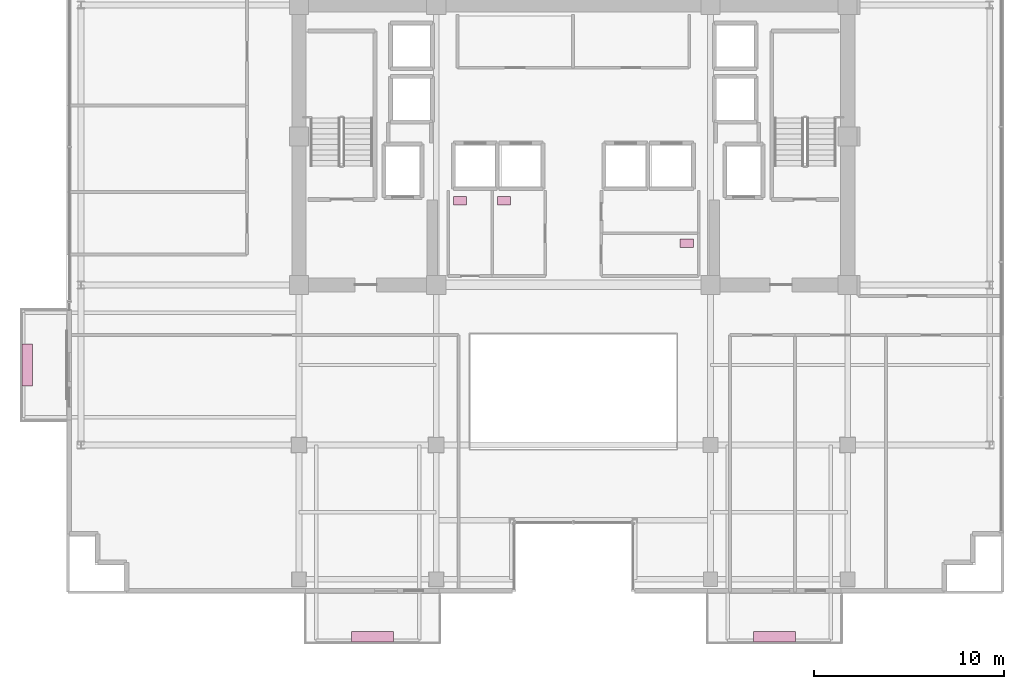
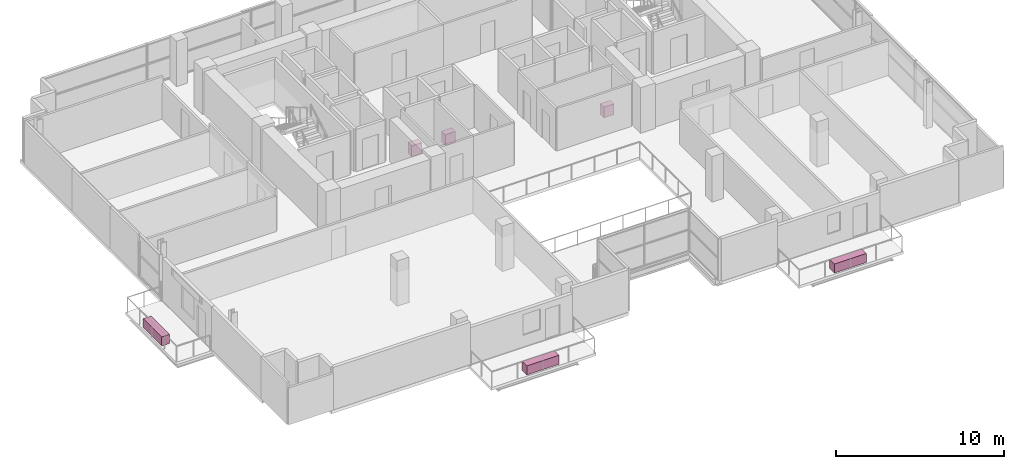
# One storey, part 21 of 21: 6 furnishings.
"""IFC4 building model written with IfcOpenShell, lengths in metres."""

from ifc_helpers import new_model, si_unit, direction, frame, origin, origin_2d, place, context, subcontext, project, spatial, rectangle, extrude, source, transform, mapped, material, type_object, element, save


model = new_model("IFC4")

# Units and contexts
model_context = context("Model", 3, precision=1e-05, world=origin(), true_north=direction((0.0, 1.0)))
body_context = subcontext(model_context, "Body", "Model", "MODEL_VIEW")
ifc_project = project(units=[si_unit("LENGTHUNIT", "METRE"), si_unit("AREAUNIT", "SQUARE_METRE"), si_unit("VOLUMEUNIT", "CUBIC_METRE"), si_unit("PLANEANGLEUNIT", "RADIAN"), si_unit("MASSUNIT", "GRAM", prefix="KILO")], contexts=[model_context])

# Site, building, storey
site_placement = place(None, origin())
site = spatial("IfcSite", under=ifc_project, at=site_placement, CompositionType="ELEMENT")
building_placement = place(site_placement, origin())
building = spatial("IfcBuilding", under=site, at=building_placement, Name="Zarnakvel Exchange Tower", CompositionType="ELEMENT")
storey_placement = place(building_placement, frame((0.0, 0.0, 152.800048828125)))
storey = spatial("IfcBuildingStorey", under=building, at=storey_placement, Name="L42", CompositionType="ELEMENT", Elevation=152.800048828125)

# Furnishings
ifc_material_1 = material(Name="Architectural Bronze Anodised Aluminium", Category="aluminium")
furnishing_element_type_1 = type_object("IfcFurnishingElementType", Name="PLNT-01", material=ifc_material_1)
shared_shape_1 = source(origin(), body_context, "Body", "SweptSolid", [
    extrude(rectangle(XDim=2.199951171875, YDim=0.550048828125, at=origin_2d()), origin(), (0.0, 0.0, 1.0), 0.64990234375),
])
for number, where, z_axis, x_axis, name in (
    (1, (-10.550048828125, -19.669921875, -0.034912109375), (0.0, 0.0, 1.0), (1.0, 0.0, 0.0), "L42 Balcony Greenery Planter BAL-L42-SW"),
    (2, (10.550048828125, -19.669921875, -0.034912109375), (0.0, 0.0, 1.0), (1.0, 0.0, 0.0), "L42 Balcony Greenery Planter BAL-L42-SE"),
    (3, (-28.669921875, -5.39990234375, -0.034912109375), (0.0, 0.0, 1.0), (0.0, 1.0, 0.0), "L42 Balcony Greenery Planter BAL-L42-W"),
):
    element("IfcFurnishingElement", number, at=place(storey_placement, frame(where, z_axis=z_axis, x_axis=x_axis)), inside=storey, type_object=furnishing_element_type_1, Name=name, ObjectType="PLANTER", context=body_context, shape_type="MappedRepresentation", body=[
        mapped(shared_shape_1, transform((0.0, 0.0, 0.0), x_axis=(1.0, 0.0, 0.0), y_axis=(0.0, 1.0, 0.0), z_axis=(0.0, 0.0, 1.0), scale=1.0)),
    ])
ifc_material_2 = material(Name="Vitreous China Sanitaryware", Category="ceramic")
furnishing_element_type_2 = type_object("IfcFurnishingElementType", Name="SAN-WC", material=ifc_material_2)
shared_shape_2 = source(origin(), body_context, "Body", "SweptSolid", [
    extrude(rectangle(XDim=0.699951171875, YDim=0.449951171875, at=origin_2d()), origin(), (0.0, 0.0, 1.0), 0.780029296875),
])
for number, where, z_axis, x_axis, name in (
    (4, (-5.949951171875, 3.22998046875, 0.0), (0.0, 0.0, 1.0), (1.0, 0.0, 0.0), "L42 Sanitary Fixture (Female Toilet)"),
    (5, (-3.639892578125, 3.22998046875, 0.0), (0.0, 0.0, 1.0), (1.0, 0.0, 0.0), "L42 Sanitary Fixture (Male Toilet)"),
    (6, (5.949951171875, 0.989990234375, 0.0), (0.0, 0.0, 1.0), (1.0, 0.0, 0.0), "L42 Sanitary Fixture (Accessible Toilet)"),
):
    element("IfcFurnishingElement", number, at=place(storey_placement, frame(where, z_axis=z_axis, x_axis=x_axis)), inside=storey, type_object=furnishing_element_type_2, Name=name, ObjectType="SANITARY_FIXTURE", context=body_context, shape_type="MappedRepresentation", body=[
        mapped(shared_shape_2, transform((0.0, 0.0, 0.0), x_axis=(1.0, 0.0, 0.0), y_axis=(0.0, 1.0, 0.0), z_axis=(0.0, 0.0, 1.0), scale=1.0)),
    ])

save(model, "model.ifc")
